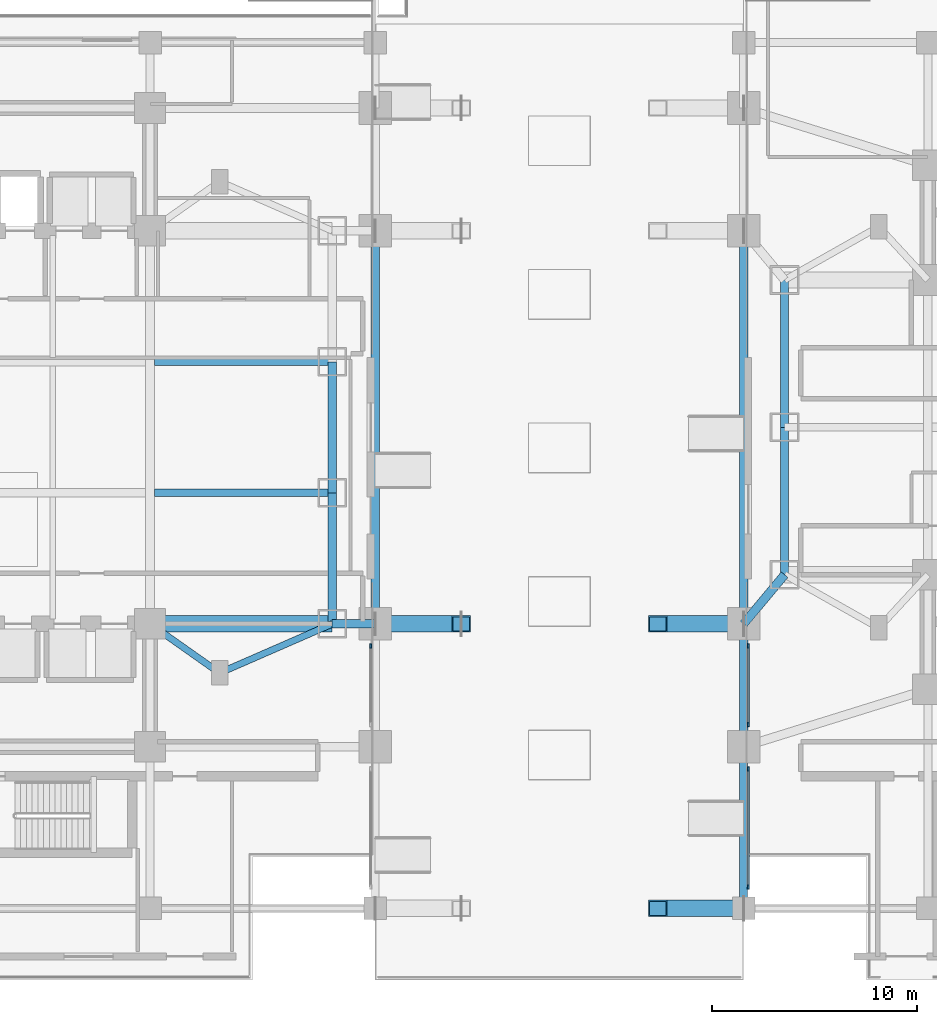
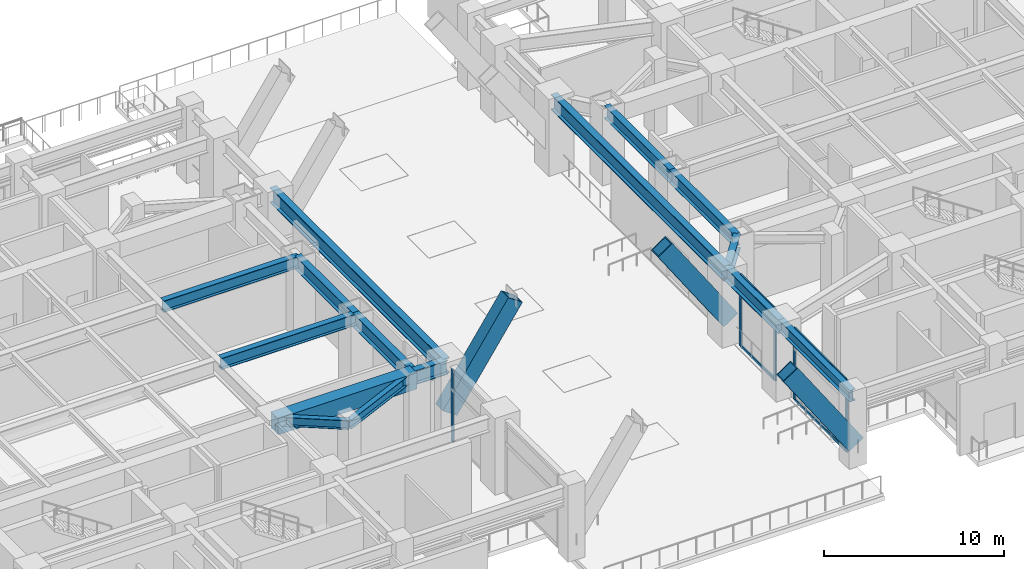
# One storey, part 4 of 27: 15 beams, 12 members, 3 elements without a shape of their own.
"""IFC4 building model written with IfcOpenShell, lengths in metres."""

from ifc_helpers import new_model, si_unit, direction, frame, origin, origin_2d, place, context, subcontext, project, spatial, rectangle, hollow_rectangle, i_section, extrude, material, material_profile, profile_set, type_object, element, aggregate, save


model = new_model("IFC4")

# Units and contexts
model_context = context("Model", 3, precision=1e-05, world=origin(), true_north=direction((0.0, 1.0)))
body_context = subcontext(model_context, "Body", "Model", "MODEL_VIEW")
ifc_project = project(units=[si_unit("LENGTHUNIT", "METRE"), si_unit("AREAUNIT", "SQUARE_METRE"), si_unit("VOLUMEUNIT", "CUBIC_METRE"), si_unit("PLANEANGLEUNIT", "RADIAN"), si_unit("MASSUNIT", "GRAM", prefix="KILO")], contexts=[model_context])

# Site, building, storey
site_placement = place(None, origin())
site = spatial("IfcSite", under=ifc_project, at=site_placement, CompositionType="ELEMENT")
building_placement = place(site_placement, origin())
building = spatial("IfcBuilding", under=site, at=building_placement, Name="Mirazonda Arch Towers", CompositionType="ELEMENT")
storey_placement = place(building_placement, origin())
storey = spatial("IfcBuildingStorey", under=building, at=storey_placement, Name="L00", CompositionType="ELEMENT", Elevation=0.0)

# Beams
ifc_material_1 = material(Name="Steel ASTM A992 Grade 50", Category="steel")
ifc_material_profile_1 = material_profile(ifc_material_1, i_section(OverallWidth=0.39990234375, OverallDepth=0.85595703125, WebThickness=0.018310546875, FlangeThickness=0.029296875, at=origin_2d()), Name="W33X201")
ifc_profile_set_1 = profile_set([ifc_material_profile_1], Name="Steel ASTM A992 Grade 50")
beam_type_1 = type_object("IfcBeamType", Name="BM-EXT-W33X201", PredefinedType="USERDEFINED", material=ifc_profile_set_1)
for number, where, z_axis, x_axis, name in (
    (1, (61.0, 20.800048828125, 4.451904296875), (0.0, 1.0, 0.0), (-1.0, 0.0, 0.0), "L00 Floor Beam BM-T2-L00-NS-W-20"),
    (2, (61.0, 28.0, 4.451904296875), (0.0, 1.0, 0.0), (-1.0, 0.0, 0.0), "L00 Floor Beam BM-T2-L00-NS-W-28"),
):
    element("IfcBeam", number, at=place(storey_placement, frame(where, z_axis=z_axis, x_axis=x_axis)), inside=storey, type_object=beam_type_1, Name=name, ObjectType="GIRDER", PredefinedType="USERDEFINED", context=body_context, shape_type="SweptSolid", body=[
        extrude(i_section(OverallWidth=0.39990234375, OverallDepth=0.85595703125, WebThickness=0.018310546875, FlangeThickness=0.029296875, at=origin_2d()), origin(), (0.0, 0.0, 1.0), 7.199951171875),
    ])
ifc_material_profile_2 = material_profile(ifc_material_1, i_section(OverallWidth=0.41796875, OverallDepth=0.927001953125, WebThickness=0.019287109375, FlangeThickness=0.031982421875, at=origin_2d()), Name="W36X231")
ifc_profile_set_2 = profile_set([ifc_material_profile_2], Name="Steel ASTM A992 Grade 50")
beam_type_2 = type_object("IfcBeamType", Name="BM-EXT-W36X231", PredefinedType="USERDEFINED", material=ifc_profile_set_2)
beam_1_placement = place(storey_placement, frame((38.89990234375, 18.39990234375, 4.41650390625), z_axis=(0.0, 1.0, 0.0), x_axis=(-1.0, 0.0, 0.0)))
element("IfcBeam", 3, at=beam_1_placement, inside=storey, type_object=beam_type_2, Name="L00 Floor Beam BM-T1-L00-NS-E-18", ObjectType="GIRDER", PredefinedType="USERDEFINED", context=body_context, shape_type="SweptSolid", body=[
    extrude(i_section(OverallWidth=0.41796875, OverallDepth=0.927001953125, WebThickness=0.019287109375, FlangeThickness=0.031982421875, at=origin_2d()), origin(), (0.0, 0.0, 1.0), 6.400146484375),
])
beam_2_placement = place(storey_placement, frame((38.89990234375, 24.800048828125, 4.41650390625), z_axis=(0.0, 1.0, 0.0), x_axis=(-1.0, 0.0, 0.0)))
element("IfcBeam", 4, at=beam_2_placement, inside=storey, type_object=beam_type_2, Name="L00 Floor Beam BM-T1-L00-NS-E-24", ObjectType="GIRDER", PredefinedType="USERDEFINED", context=body_context, shape_type="SweptSolid", body=[
    extrude(i_section(OverallWidth=0.41796875, OverallDepth=0.927001953125, WebThickness=0.019287109375, FlangeThickness=0.031982421875, at=origin_2d()), origin(), (0.0, 0.0, 1.0), 6.39990234375),
])
ifc_material_profile_3 = material_profile(ifc_material_1, i_section(OverallWidth=0.423095703125, OverallDepth=0.947998046875, WebThickness=0.02392578125, FlangeThickness=0.042724609375, at=origin_2d()), Name="W36X302")
ifc_profile_set_3 = profile_set([ifc_material_profile_3], Name="Steel ASTM A992 Grade 50")
beam_type_3 = type_object("IfcBeamType", Name="BM-EXT-W36X302", PredefinedType="USERDEFINED", material=ifc_profile_set_3)
beam_3_placement = place(storey_placement, frame((59.0, 12.39990234375, 4.406005859375), z_axis=(0.0, 1.0, 0.0), x_axis=(-1.0, 0.0, 0.0)))
element("IfcBeam", 5, at=beam_3_placement, inside=storey, type_object=beam_type_3, Name="L00 Floor Beam BM-POD-L00-PA-EL1", ObjectType="GIRDER", PredefinedType="USERDEFINED", context=body_context, shape_type="SweptSolid", body=[
    extrude(i_section(OverallWidth=0.423095703125, OverallDepth=0.947998046875, WebThickness=0.02392578125, FlangeThickness=0.042724609375, at=origin_2d()), origin(), (0.0, 0.0, 1.0), 6.0),
])
ifc_material_profile_4 = material_profile(ifc_material_1, i_section(OverallWidth=0.419921875, OverallDepth=1.0400390625, WebThickness=0.031005859375, FlangeThickness=0.055908203125, at=origin_2d()), Name="W40X397")
ifc_profile_set_4 = profile_set([ifc_material_profile_4], Name="Steel ASTM A992 Grade 50")
beam_type_4 = type_object("IfcBeamType", Name="BM-EXT-W40X397", PredefinedType="USERDEFINED", material=ifc_profile_set_4)
for number, where, z_axis, x_axis, name in (
    (6, (41.0, 18.39990234375, 4.360107421875), (0.0, 1.0, 0.0), (-1.0, 0.0, 0.0), "L00 Floor Beam BM-POD-L00-PA-WL2"),
    (7, (59.0, 18.39990234375, 4.360107421875), (0.0, 1.0, 0.0), (-1.0, 0.0, 0.0), "L00 Floor Beam BM-POD-L00-PA-EL2"),
):
    element("IfcBeam", number, at=place(storey_placement, frame(where, z_axis=z_axis, x_axis=x_axis)), inside=storey, type_object=beam_type_4, Name=name, ObjectType="GIRDER", PredefinedType="USERDEFINED", context=body_context, shape_type="SweptSolid", body=[
        extrude(i_section(OverallWidth=0.419921875, OverallDepth=1.0400390625, WebThickness=0.031005859375, FlangeThickness=0.055908203125, at=origin_2d()), origin(), (0.0, 0.0, 1.0), 19.2001953125),
    ])
ifc_material_profile_5 = material_profile(ifc_material_1, i_section(OverallWidth=0.324951171875, OverallDepth=0.615966796875, WebThickness=0.013916015625, FlangeThickness=0.021484375, at=origin_2d()), Name="W24X117")
ifc_profile_set_5 = profile_set([ifc_material_profile_5], Name="Steel ASTM A992 Grade 50")
beam_type_5 = type_object("IfcBeamType", Name="BM-INT-W24X117", PredefinedType="BEAM", material=ifc_profile_set_5)
beam_4_placement = place(storey_placement, frame((33.39990234375, 16.0, 4.572021484375), z_axis=(-0.816971114901, 0.576678591087, 0.0), x_axis=(-0.576678591087, -0.816971114901, 0.0)))
element("IfcBeam", 8, at=beam_4_placement, inside=storey, type_object=beam_type_5, Name="L00 Floor Beam BM-T1-L00-PL-SE1", PredefinedType="BEAM", context=body_context, shape_type="SweptSolid", body=[
    extrude(i_section(OverallWidth=0.324951171875, OverallDepth=0.615966796875, WebThickness=0.013916015625, FlangeThickness=0.021484375, at=origin_2d()), origin(), (0.0, 0.0, 1.0), 4.16162109375),
])
beam_5_placement = place(storey_placement, frame((33.39990234375, 16.0, 4.572021484375), z_axis=(0.916545343703, 0.399930785183, 0.0), x_axis=(-0.399930785183, 0.916545343703, 0.0)))
element("IfcBeam", 9, at=beam_5_placement, inside=storey, type_object=beam_type_5, Name="L00 Floor Beam BM-T1-L00-PL-SE2", PredefinedType="BEAM", context=body_context, shape_type="SweptSolid", body=[
    extrude(i_section(OverallWidth=0.324951171875, OverallDepth=0.615966796875, WebThickness=0.013916015625, FlangeThickness=0.021484375, at=origin_2d()), origin(), (0.0, 0.0, 1.0), 6.000732421875),
])
ifc_material_profile_6 = material_profile(ifc_material_1, i_section(OverallWidth=0.381103515625, OverallDepth=0.77294921875, WebThickness=0.0166015625, FlangeThickness=0.027099609375, at=origin_2d()), Name="W30X173")
ifc_profile_set_6 = profile_set([ifc_material_profile_6], Name="Steel ASTM A992 Grade 50")
beam_type_6 = type_object("IfcBeamType", Name="BM-INT-W30X173", PredefinedType="USERDEFINED", material=ifc_profile_set_6)
for number, where, z_axis, x_axis, name in (
    (10, (30.2099609375, 24.800048828125, 4.493408203125), (1.0, 0.0, 0.0), (0.0, 1.0, 0.0), "L00 Floor Beam BM-T1-L00-GE2"),
    (11, (30.2099609375, 31.199951171875, 4.493408203125), (1.0, 0.0, 0.0), (0.0, 1.0, 0.0), "L00 Floor Beam BM-T1-L00-GE3"),
):
    element("IfcBeam", number, at=place(storey_placement, frame(where, z_axis=z_axis, x_axis=x_axis)), inside=storey, type_object=beam_type_6, Name=name, ObjectType="GIRDER", PredefinedType="USERDEFINED", context=body_context, shape_type="SweptSolid", body=[
        extrude(i_section(OverallWidth=0.381103515625, OverallDepth=0.77294921875, WebThickness=0.0166015625, FlangeThickness=0.027099609375, at=origin_2d()), origin(), (0.0, 0.0, 1.0), 8.68994140625),
    ])
beam_6_placement = place(storey_placement, frame((59.0, 4.5, 4.493408203125), z_axis=(0.0, 1.0, 0.0), x_axis=(-1.0, 0.0, 0.0)))
element("IfcBeam", 12, at=beam_6_placement, inside=storey, type_object=beam_type_6, Name="L00 Floor Beam BM-POD-L00-PCS-5", ObjectType="GIRDER", PredefinedType="USERDEFINED", context=body_context, shape_type="SweptSolid", body=[
    extrude(i_section(OverallWidth=0.381103515625, OverallDepth=0.77294921875, WebThickness=0.0166015625, FlangeThickness=0.027099609375, at=origin_2d()), origin(), (0.0, 0.0, 1.0), 7.89990234375),
])
ifc_material_profile_7 = material_profile(ifc_material_1, i_section(OverallWidth=0.423095703125, OverallDepth=0.947998046875, WebThickness=0.02392578125, FlangeThickness=0.042724609375, at=origin_2d()), Name="W36X302")
ifc_profile_set_7 = profile_set([ifc_material_profile_7], Name="Steel ASTM A992 Grade 50")
beam_type_7 = type_object("IfcBeamType", Name="BM-INT-W36X302", PredefinedType="USERDEFINED", material=ifc_profile_set_7)
beam_7_placement = place(storey_placement, frame((38.89990234375, 18.39990234375, 4.406005859375), z_axis=(1.0, 0.0, 0.0), x_axis=(0.0, 1.0, 0.0)))
element("IfcBeam", 13, at=beam_7_placement, inside=storey, type_object=beam_type_7, Name="L00 Floor Beam BM-POD-L00-PA-W2", ObjectType="GIRDER", PredefinedType="USERDEFINED", context=body_context, shape_type="SweptSolid", body=[
    extrude(i_section(OverallWidth=0.423095703125, OverallDepth=0.947998046875, WebThickness=0.02392578125, FlangeThickness=0.042724609375, at=origin_2d()), origin(), (0.0, 0.0, 1.0), 2.10009765625),
])
beam_8_placement = place(storey_placement, frame((59.0, 18.39990234375, 4.406005859375), z_axis=(0.640161340286, 0.76824049516, 0.0), x_axis=(-0.76824049516, 0.640161340286, 0.0)))
element("IfcBeam", 14, at=beam_8_placement, inside=storey, type_object=beam_type_7, Name="L00 Floor Beam BM-POD-L00-PA-E2", ObjectType="GIRDER", PredefinedType="USERDEFINED", context=body_context, shape_type="SweptSolid", body=[
    extrude(i_section(OverallWidth=0.423095703125, OverallDepth=0.947998046875, WebThickness=0.02392578125, FlangeThickness=0.042724609375, at=origin_2d()), origin(), (0.0, 0.0, 1.0), 3.124267578125),
])
ifc_material_2 = material(Name="Concrete C60/75", Category="concrete")
ifc_material_profile_8 = material_profile(ifc_material_2, rectangle(XDim=0.800048828125, YDim=1.10009765625, at=origin_2d()), Name="RCCB800x1100")
ifc_profile_set_8 = profile_set([ifc_material_profile_8], Name="Concrete C60/75")
beam_type_8 = type_object("IfcBeamType", Name="CB-INT-RCCB800x1100", PredefinedType="SPANDREL", material=ifc_profile_set_8)
beam_9_placement = place(storey_placement, frame((30.0, 18.39990234375, 4.330078125), z_axis=(1.0, 0.0, 0.0), x_axis=(0.0, 1.0, 0.0)))
element("IfcBeam", 15, at=beam_9_placement, inside=storey, type_object=beam_type_8, Name="L00 Floor Beam CB-T1-L00-SE", PredefinedType="SPANDREL", context=body_context, shape_type="SweptSolid", body=[
    extrude(rectangle(XDim=0.800048828125, YDim=1.10009765625, at=origin_2d()), origin(), (0.0, 0.0, 1.0), 8.89990234375),
])

# Members
ifc_material_3 = material(Name="Steel ASTM A572 Grade 50", Category="steel")
ifc_material_profile_9 = material_profile(ifc_material_3, hollow_rectangle(XDim=0.800048828125, YDim=1.10009765625, WallThickness=0.06005859375, at=origin_2d()), Name="ARCHBOX1100x800x60")
ifc_profile_set_9 = profile_set([ifc_material_profile_9], Name="Steel ASTM A572 Grade 50")
member_type_1 = type_object("IfcMemberType", Name="MBR-EXT-ARCHBOX1100x800x60", PredefinedType="CHORD", material=ifc_profile_set_9)
member_1_placement = place(storey_placement, frame((54.800048828125, 4.5, 7.60009765625), z_axis=(0.56083156562, 0.0, -0.827929921554), x_axis=(0.0, 1.0, 0.0)))
element("IfcMember", 16, at=member_1_placement, inside=storey, type_object=member_type_1, Name="Podium Parabolic Arch Rib 1 Chord 5", PredefinedType="CHORD", context=body_context, shape_type="SweptSolid", body=[
    extrude(hollow_rectangle(XDim=0.800048828125, YDim=1.10009765625, WallThickness=0.06005859375, at=origin_2d()), origin(), (0.0, 0.0, 1.0), 7.48876953125),
])
ifc_material_profile_10 = material_profile(ifc_material_3, hollow_rectangle(XDim=0.800048828125, YDim=1.10009765625, WallThickness=0.06005859375, at=origin_2d()), Name="ARCHBOX1100x800x60")
ifc_profile_set_10 = profile_set([ifc_material_profile_10], Name="Steel ASTM A572 Grade 50")
member_type_2 = type_object("IfcMemberType", Name="MBR-INT-ARCHBOX1100x800x60", PredefinedType="CHORD", material=ifc_profile_set_10)
for number, where, z_axis, x_axis, name in (
    (17, (41.0, 18.39990234375, 1.39990234375), (0.56083156562, 0.0, 0.827929921554), (0.0, 1.0, 0.0), "Podium Parabolic Arch Rib 2 Chord 1"),
    (18, (54.800048828125, 18.39990234375, 7.60009765625), (0.56083156562, 0.0, -0.827929921554), (0.0, 1.0, 0.0), "Podium Parabolic Arch Rib 2 Chord 5"),
):
    element("IfcMember", number, at=place(storey_placement, frame(where, z_axis=z_axis, x_axis=x_axis)), inside=storey, type_object=member_type_2, Name=name, PredefinedType="CHORD", context=body_context, shape_type="SweptSolid", body=[
        extrude(hollow_rectangle(XDim=0.800048828125, YDim=1.10009765625, WallThickness=0.06005859375, at=origin_2d()), origin(), (0.0, 0.0, 1.0), 7.48876953125),
    ])

# Curtain wall, member
ifc_material_4 = material(Name="Anodised Aluminium and Low-E Glass", Category="aluminium")
curtain_wall_type = type_object("IfcCurtainWallType", Name="CW-ARCH-GLAZE", PredefinedType="NOTDEFINED", material=ifc_material_4)
curtain_wall_1_placement = place(storey_placement, origin())
curtain_wall_1 = element("IfcCurtainWall", 19, at=curtain_wall_1_placement, inside=storey, type_object=curtain_wall_type, Name="L00 Arch West Concourse Glazing CW-L00-ARCH-WS-S1", PredefinedType="NOTDEFINED")
ifc_material_5 = material(Name="Anodised Aluminium Alloy", Category="aluminium")
ifc_material_profile_11 = material_profile(ifc_material_5, rectangle(XDim=0.090087890625, YDim=0.219970703125, at=origin_2d()), Name="ALU-MULL-90x220")
ifc_profile_set_11 = profile_set([ifc_material_profile_11], Name="Anodised Aluminium Alloy")
member_type_3 = type_object("IfcMemberType", Name="MULL-CW-ARCH-GLAZE", PredefinedType="MULLION", material=ifc_profile_set_11)
member_2_placement = place(storey_placement, frame((40.780029296875, 17.31494140625, 0.0), z_axis=(0.0, 0.0, 1.0), x_axis=(1.0, 0.0, 0.0)))
member_2 = element("IfcMember", 20, at=member_2_placement, type_object=member_type_3, Name="CW-106 mullion 1", PredefinedType="MULLION", context=body_context, shape_type="SweptSolid", body=[
    extrude(rectangle(XDim=0.090087890625, YDim=0.219970703125, at=origin_2d()), origin(), (0.0, 0.0, 1.0), 4.860107421875),
])
aggregate(curtain_wall_1, [member_2])

# Curtain wall, members
curtain_wall_2_placement = place(storey_placement, origin())
curtain_wall_2 = element("IfcCurtainWall", 21, at=curtain_wall_2_placement, inside=storey, type_object=curtain_wall_type, Name="L00 Arch East Concourse Glazing CW-L00-ARCH-ES-S1", PredefinedType="NOTDEFINED")
member_3_placement = place(storey_placement, frame((59.219970703125, 5.544921875, 0.0), z_axis=(0.0, 0.0, 1.0), x_axis=(-1.0, 0.0, 0.0)))
member_3 = element("IfcMember", 22, at=member_3_placement, type_object=member_type_3, Name="CW-106 mullion 1", PredefinedType="MULLION", context=body_context, shape_type="SweptSolid", body=[
    extrude(rectangle(XDim=0.090087890625, YDim=0.219970703125, at=origin_2d()), origin(), (0.0, 0.0, 1.0), 4.860107421875),
])
member_4_placement = place(storey_placement, frame((59.219970703125, 11.31494140625, 0.0), z_axis=(0.0, 0.0, 1.0), x_axis=(-1.0, 0.0, 0.0)))
member_4 = element("IfcMember", 23, at=member_4_placement, type_object=member_type_3, Name="CW-106 mullion 2", PredefinedType="MULLION", context=body_context, shape_type="SweptSolid", body=[
    extrude(rectangle(XDim=0.090087890625, YDim=0.219970703125, at=origin_2d()), origin(), (0.0, 0.0, 1.0), 4.860107421875),
])

curtain_wall_3_placement = place(storey_placement, origin())
curtain_wall_3 = element("IfcCurtainWall", 24, at=curtain_wall_3_placement, inside=storey, type_object=curtain_wall_type, Name="L00 Arch East Concourse Glazing CW-L00-ARCH-ES-S2", PredefinedType="NOTDEFINED")
member_5_placement = place(storey_placement, frame((59.219970703125, 13.485107421875, 0.0), z_axis=(0.0, 0.0, 1.0), x_axis=(-1.0, 0.0, 0.0)))
member_5 = element("IfcMember", 25, at=member_5_placement, type_object=member_type_3, Name="CW-106 mullion 1", PredefinedType="MULLION", context=body_context, shape_type="SweptSolid", body=[
    extrude(rectangle(XDim=0.090087890625, YDim=0.219970703125, at=origin_2d()), origin(), (0.0, 0.0, 1.0), 4.860107421875),
])
member_6_placement = place(storey_placement, frame((59.219970703125, 17.31494140625, 0.0), z_axis=(0.0, 0.0, 1.0), x_axis=(-1.0, 0.0, 0.0)))
member_6 = element("IfcMember", 26, at=member_6_placement, type_object=member_type_3, Name="CW-106 mullion 2", PredefinedType="MULLION", context=body_context, shape_type="SweptSolid", body=[
    extrude(rectangle(XDim=0.090087890625, YDim=0.219970703125, at=origin_2d()), origin(), (0.0, 0.0, 1.0), 4.860107421875),
])

# Member
ifc_material_profile_12 = material_profile(ifc_material_5, rectangle(XDim=0.090087890625, YDim=0.199951171875, at=origin_2d()), Name="ALU-TRAN-90x200")
ifc_profile_set_12 = profile_set([ifc_material_profile_12], Name="Anodised Aluminium Alloy")
member_type_4 = type_object("IfcMemberType", Name="TRAN-CW-ARCH-GLAZE", PredefinedType="USERDEFINED", material=ifc_profile_set_12)
member_7_placement = place(storey_placement, frame((59.219970703125, 5.590087890625, 0.044921875), z_axis=(0.0, 1.0, 0.0), x_axis=(-1.0, 0.0, 0.0)))
member_7 = element("IfcMember", 27, at=member_7_placement, type_object=member_type_4, Name="CW-106 transom 1.1", ObjectType="TRANSOM", PredefinedType="USERDEFINED", context=body_context, shape_type="SweptSolid", body=[
    extrude(rectangle(XDim=0.090087890625, YDim=0.199951171875, at=origin_2d()), origin(), (0.0, 0.0, 1.0), 5.679931640625),
])

member_8_placement = place(storey_placement, frame((59.219970703125, 5.590087890625, 4.81494140625), z_axis=(0.0, 1.0, 0.0), x_axis=(-1.0, 0.0, 0.0)))
member_8 = element("IfcMember", 28, at=member_8_placement, type_object=member_type_4, Name="CW-106 transom 1.2", ObjectType="TRANSOM", PredefinedType="USERDEFINED", context=body_context, shape_type="SweptSolid", body=[
    extrude(rectangle(XDim=0.090087890625, YDim=0.199951171875, at=origin_2d()), origin(), (0.0, 0.0, 1.0), 5.679931640625),
])

aggregate(curtain_wall_2, [member_3, member_4, member_7, member_8])

member_9_placement = place(storey_placement, frame((59.219970703125, 13.530029296875, 0.044921875), z_axis=(0.0, 1.0, 0.0), x_axis=(-1.0, 0.0, 0.0)))
member_9 = element("IfcMember", 29, at=member_9_placement, type_object=member_type_4, Name="CW-106 transom 1.1", ObjectType="TRANSOM", PredefinedType="USERDEFINED", context=body_context, shape_type="SweptSolid", body=[
    extrude(rectangle(XDim=0.090087890625, YDim=0.199951171875, at=origin_2d()), origin(), (0.0, 0.0, 1.0), 3.739990234375),
])

member_10_placement = place(storey_placement, frame((59.219970703125, 13.530029296875, 4.81494140625), z_axis=(0.0, 1.0, 0.0), x_axis=(-1.0, 0.0, 0.0)))
member_10 = element("IfcMember", 30, at=member_10_placement, type_object=member_type_4, Name="CW-106 transom 1.2", ObjectType="TRANSOM", PredefinedType="USERDEFINED", context=body_context, shape_type="SweptSolid", body=[
    extrude(rectangle(XDim=0.090087890625, YDim=0.199951171875, at=origin_2d()), origin(), (0.0, 0.0, 1.0), 3.739990234375),
])

aggregate(curtain_wall_3, [member_5, member_6, member_9, member_10])

save(model, "model.ifc")
